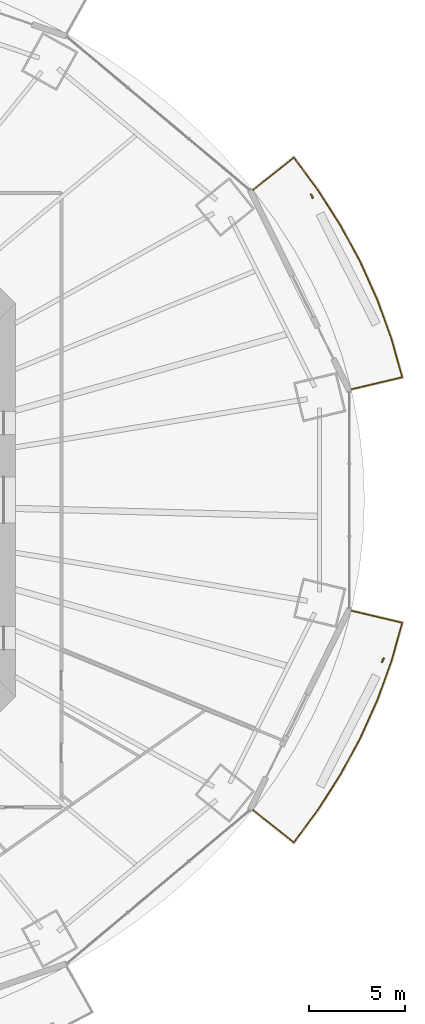
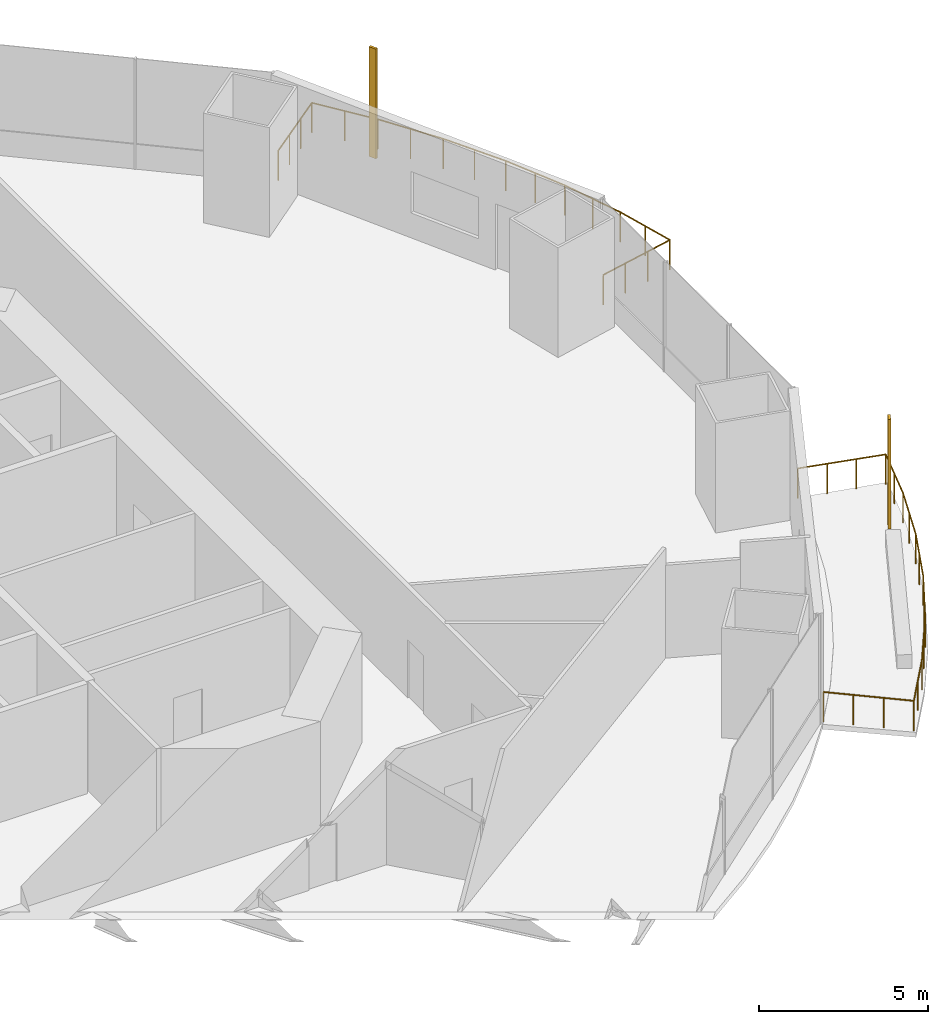
# One storey, part 21 of 22: 2 railings, 2 shading devices.
"""IFC4 building model written with IfcOpenShell, lengths in metres."""

from ifc_helpers import new_model, si_unit, direction, frame, origin, origin_2d, place, context, subcontext, project, spatial, rectangle, circle, extrude, material, material_profile, profile_set, type_object, element, save


model = new_model("IFC4")

# Units and contexts
model_context = context("Model", 3, precision=1e-05, world=origin(), true_north=direction((0.0, 1.0)))
body_context = subcontext(model_context, "Body", "Model", "MODEL_VIEW")
ifc_project = project(units=[si_unit("LENGTHUNIT", "METRE"), si_unit("AREAUNIT", "SQUARE_METRE"), si_unit("VOLUMEUNIT", "CUBIC_METRE"), si_unit("PLANEANGLEUNIT", "RADIAN"), si_unit("MASSUNIT", "GRAM", prefix="KILO")], contexts=[model_context])

# Site, building, storey
site_placement = place(None, origin())
site = spatial("IfcSite", under=ifc_project, at=site_placement, CompositionType="ELEMENT")
building_placement = place(site_placement, origin())
building = spatial("IfcBuilding", under=site, at=building_placement, Name="Marenthal Gate Tower", CompositionType="ELEMENT")
storey_placement = place(building_placement, frame((0.0, 0.0, 103.550048828125)))
storey = spatial("IfcBuildingStorey", under=building, at=storey_placement, Name="L21", CompositionType="ELEMENT", Elevation=103.550048828125)

# Railings
ifc_material_1 = material(Name="Stainless steel", Category="steel")
railing_type = type_object("IfcRailingType", Name="Balcony guard 1100", PredefinedType="GUARDRAIL", material=ifc_material_1)
railing_1_placement = place(storey_placement, frame((28.97509765625, 16.14501953125, 0.0)))
element("IfcRailing", 1, at=railing_1_placement, inside=storey, type_object=railing_type, Name="Balcony guard L21 bay 1", PredefinedType="GUARDRAIL", context=body_context, shape_type="SweptSolid", body=[
    extrude(circle(Radius=0.02392578125, at=origin_2d()), frame((0.0, 0.0, 1.076171875), z_axis=(0.782218085053, 0.62283082954, -0.014718192514), x_axis=(-0.622898300926, 0.782302822892, 0.0)), (0.0, 0.0, 1.0), 2.720458984375),
    extrude(circle(Radius=0.02392578125, at=origin_2d()), frame((2.1279296875, 1.6943359375, 1.0361328125), z_axis=(0.594516836854, -0.804083161556, 0.0), x_axis=(0.804083161556, 0.594516836854, 0.0)), (0.0, 0.0, 1.0), 2.12841796875),
    extrude(circle(Radius=0.02392578125, at=origin_2d()), frame((3.393310546875, -0.01708984375, 1.0361328125), z_axis=(0.537452327695, -0.843294133417, 0.0), x_axis=(0.843294133417, 0.537452327695, 0.0)), (0.0, 0.0, 1.0), 2.1904296875),
    extrude(circle(Radius=0.02392578125, at=origin_2d()), frame((4.570556640625, -1.8642578125, 1.0361328125), z_axis=(0.475284522292, -0.879832156078, 0.0), x_axis=(0.879832156078, 0.475284522292, 0.0)), (0.0, 0.0, 1.0), 2.17431640625),
    extrude(circle(Radius=0.02392578125, at=origin_2d()), frame((5.60400390625, -3.77734375, 1.0361328125), z_axis=(0.409429124113, -0.91234192731, 0.0), x_axis=(0.91234192731, 0.409429124113, 0.0)), (0.0, 0.0, 1.0), 2.15966796875),
    extrude(circle(Radius=0.02392578125, at=origin_2d()), frame((6.48828125, -5.747802734375, 1.0361328125), z_axis=(0.340136081654, -0.940376225751, 0.0), x_axis=(0.940376225751, 0.340136081654, 0.0)), (0.0, 0.0, 1.0), 2.1474609375),
    extrude(circle(Radius=0.02392578125, at=origin_2d()), frame((7.21875, -7.767333984375, 1.0361328125), z_axis=(0.269277750694, -0.963062559225, 0.0), x_axis=(0.963062559225, 0.269277750694, 0.0)), (0.0, 0.0, 1.0), 2.05712890625),
    extrude(circle(Radius=0.02392578125, at=origin_2d()), frame((7.772705078125, -9.74853515625, 1.0361328125), z_axis=(-0.972946801612, -0.230559942195, 0.014718501565), x_axis=(0.230584919848, -0.973052205557, 0.0)), (0.0, 0.0, 1.0), 2.72021484375),
    extrude(circle(Radius=0.02099609375, at=origin_2d()), origin(), (0.0, 0.0, 1.0), 1.052001953125),
    extrude(circle(Radius=0.02099609375, at=origin_2d()), frame((0.709228515625, 0.564697265625, -0.013427734375)), (0.0, 0.0, 1.0), 1.052001953125),
    extrude(circle(Radius=0.02099609375, at=origin_2d()), frame((1.418701171875, 1.129638671875, -0.026611328125)), (0.0, 0.0, 1.0), 1.052001953125),
    extrude(circle(Radius=0.02099609375, at=origin_2d()), frame((2.1279296875, 1.6943359375, -0.0400390625)), (0.0, 0.0, 1.0), 1.052001953125),
    extrude(circle(Radius=0.02099609375, at=origin_2d()), frame((2.7607421875, 0.838623046875, -0.0400390625)), (0.0, 0.0, 1.0), 1.052001953125),
    extrude(circle(Radius=0.02099609375, at=origin_2d()), frame((3.393310546875, -0.01708984375, -0.0400390625)), (0.0, 0.0, 1.0), 1.052001953125),
    extrude(circle(Radius=0.02099609375, at=origin_2d()), frame((3.98193359375, -0.940673828125, -0.0400390625)), (0.0, 0.0, 1.0), 1.052001953125),
    extrude(circle(Radius=0.02099609375, at=origin_2d()), frame((4.570556640625, -1.8642578125, -0.0400390625)), (0.0, 0.0, 1.0), 1.052001953125),
    extrude(circle(Radius=0.02099609375, at=origin_2d()), frame((5.08740234375, -2.82080078125, -0.0400390625)), (0.0, 0.0, 1.0), 1.052001953125),
    extrude(circle(Radius=0.02099609375, at=origin_2d()), frame((5.60400390625, -3.77734375, -0.0400390625)), (0.0, 0.0, 1.0), 1.052001953125),
    extrude(circle(Radius=0.02099609375, at=origin_2d()), frame((6.046142578125, -4.7626953125, -0.0400390625)), (0.0, 0.0, 1.0), 1.052001953125),
    extrude(circle(Radius=0.02099609375, at=origin_2d()), frame((6.48828125, -5.747802734375, -0.0400390625)), (0.0, 0.0, 1.0), 1.052001953125),
    extrude(circle(Radius=0.02099609375, at=origin_2d()), frame((6.853515625, -6.757568359375, -0.0400390625)), (0.0, 0.0, 1.0), 1.052001953125),
    extrude(circle(Radius=0.02099609375, at=origin_2d()), frame((7.21875, -7.767333984375, -0.0400390625)), (0.0, 0.0, 1.0), 1.052001953125),
    extrude(circle(Radius=0.02099609375, at=origin_2d()), frame((7.49560546875, -8.7578125, -0.0400390625)), (0.0, 0.0, 1.0), 1.052001953125),
    extrude(circle(Radius=0.02099609375, at=origin_2d()), frame((7.772705078125, -9.74853515625, -0.0400390625)), (0.0, 0.0, 1.0), 1.052001953125),
    extrude(circle(Radius=0.02099609375, at=origin_2d()), frame((6.890380859375, -9.95751953125, -0.026611328125)), (0.0, 0.0, 1.0), 1.052001953125),
    extrude(circle(Radius=0.02099609375, at=origin_2d()), frame((6.00830078125, -10.166748046875, -0.013427734375)), (0.0, 0.0, 1.0), 1.052001953125),
    extrude(circle(Radius=0.02099609375, at=origin_2d()), frame((5.1259765625, -10.375732421875, 0.0)), (0.0, 0.0, 1.0), 1.052001953125),
])
railing_2_placement = place(storey_placement, frame((34.10107421875, -5.769287109375, 0.0)))
element("IfcRailing", 2, at=railing_2_placement, inside=storey, type_object=railing_type, Name="Balcony guard L21 bay 15", PredefinedType="GUARDRAIL", context=body_context, shape_type="SweptSolid", body=[
    extrude(circle(Radius=0.02392578125, at=origin_2d()), frame((0.0, 0.0, 1.076171875), z_axis=(0.972946801612, -0.230559942195, -0.014718501565), x_axis=(0.230584919848, 0.973052205557, 0.0)), (0.0, 0.0, 1.0), 2.72021484375),
    extrude(circle(Radius=0.02392578125, at=origin_2d()), frame((2.646728515625, -0.627197265625, 1.0361328125), z_axis=(-0.269277750694, -0.963062559225, 0.0), x_axis=(0.963062559225, -0.269277750694, 0.0)), (0.0, 0.0, 1.0), 2.05712890625),
    extrude(circle(Radius=0.02392578125, at=origin_2d()), frame((2.0927734375, -2.6083984375, 1.0361328125), z_axis=(-0.340136081654, -0.940376225751, 0.0), x_axis=(0.940376225751, -0.340136081654, 0.0)), (0.0, 0.0, 1.0), 2.1474609375),
    extrude(circle(Radius=0.02392578125, at=origin_2d()), frame((1.3623046875, -4.6279296875, 1.0361328125), z_axis=(-0.409429124113, -0.91234192731, 0.0), x_axis=(0.91234192731, -0.409429124113, 0.0)), (0.0, 0.0, 1.0), 2.15966796875),
    extrude(circle(Radius=0.02392578125, at=origin_2d()), frame((0.47802734375, -6.598388671875, 1.0361328125), z_axis=(-0.475284522292, -0.879832156078, 0.0), x_axis=(0.879832156078, -0.475284522292, 0.0)), (0.0, 0.0, 1.0), 2.17431640625),
    extrude(circle(Radius=0.02392578125, at=origin_2d()), frame((-0.555419921875, -8.511474609375, 1.0361328125), z_axis=(-0.537452327695, -0.843294133417, 0.0), x_axis=(0.843294133417, -0.537452327695, 0.0)), (0.0, 0.0, 1.0), 2.1904296875),
    extrude(circle(Radius=0.02392578125, at=origin_2d()), frame((-1.732666015625, -10.358642578125, 1.0361328125), z_axis=(-0.594516836854, -0.804083161556, 0.0), x_axis=(0.804083161556, -0.594516836854, 0.0)), (0.0, 0.0, 1.0), 2.12841796875),
    extrude(circle(Radius=0.02392578125, at=origin_2d()), frame((-2.998046875, -12.070068359375, 1.0361328125), z_axis=(-0.782218085053, 0.62283082954, 0.014718192514), x_axis=(-0.622898300926, -0.782302822892, 0.0)), (0.0, 0.0, 1.0), 2.720458984375),
    extrude(circle(Radius=0.02099609375, at=origin_2d()), origin(), (0.0, 0.0, 1.0), 1.052001953125),
    extrude(circle(Radius=0.02099609375, at=origin_2d()), frame((0.88232421875, -0.208984375, -0.013427734375)), (0.0, 0.0, 1.0), 1.052001953125),
    extrude(circle(Radius=0.02099609375, at=origin_2d()), frame((1.764404296875, -0.418212890625, -0.026611328125)), (0.0, 0.0, 1.0), 1.052001953125),
    extrude(circle(Radius=0.02099609375, at=origin_2d()), frame((2.646728515625, -0.627197265625, -0.0400390625)), (0.0, 0.0, 1.0), 1.052001953125),
    extrude(circle(Radius=0.02099609375, at=origin_2d()), frame((2.36962890625, -1.61767578125, -0.0400390625)), (0.0, 0.0, 1.0), 1.052001953125),
    extrude(circle(Radius=0.02099609375, at=origin_2d()), frame((2.0927734375, -2.6083984375, -0.0400390625)), (0.0, 0.0, 1.0), 1.052001953125),
    extrude(circle(Radius=0.02099609375, at=origin_2d()), frame((1.7275390625, -3.6181640625, -0.0400390625)), (0.0, 0.0, 1.0), 1.052001953125),
    extrude(circle(Radius=0.02099609375, at=origin_2d()), frame((1.3623046875, -4.6279296875, -0.0400390625)), (0.0, 0.0, 1.0), 1.052001953125),
    extrude(circle(Radius=0.02099609375, at=origin_2d()), frame((0.920166015625, -5.61328125, -0.0400390625)), (0.0, 0.0, 1.0), 1.052001953125),
    extrude(circle(Radius=0.02099609375, at=origin_2d()), frame((0.47802734375, -6.598388671875, -0.0400390625)), (0.0, 0.0, 1.0), 1.052001953125),
    extrude(circle(Radius=0.02099609375, at=origin_2d()), frame((-0.03857421875, -7.554931640625, -0.0400390625)), (0.0, 0.0, 1.0), 1.052001953125),
    extrude(circle(Radius=0.02099609375, at=origin_2d()), frame((-0.555419921875, -8.511474609375, -0.0400390625)), (0.0, 0.0, 1.0), 1.052001953125),
    extrude(circle(Radius=0.02099609375, at=origin_2d()), frame((-1.14404296875, -9.43505859375, -0.0400390625)), (0.0, 0.0, 1.0), 1.052001953125),
    extrude(circle(Radius=0.02099609375, at=origin_2d()), frame((-1.732666015625, -10.358642578125, -0.0400390625)), (0.0, 0.0, 1.0), 1.052001953125),
    extrude(circle(Radius=0.02099609375, at=origin_2d()), frame((-2.365234375, -11.21435546875, -0.0400390625)), (0.0, 0.0, 1.0), 1.052001953125),
    extrude(circle(Radius=0.02099609375, at=origin_2d()), frame((-2.998046875, -12.070068359375, -0.0400390625)), (0.0, 0.0, 1.0), 1.052001953125),
    extrude(circle(Radius=0.02099609375, at=origin_2d()), frame((-3.707275390625, -11.50537109375, -0.026611328125)), (0.0, 0.0, 1.0), 1.052001953125),
    extrude(circle(Radius=0.02099609375, at=origin_2d()), frame((-4.416748046875, -10.9404296875, -0.013427734375)), (0.0, 0.0, 1.0), 1.052001953125),
    extrude(circle(Radius=0.02099609375, at=origin_2d()), frame((-5.1259765625, -10.375732421875, 0.0)), (0.0, 0.0, 1.0), 1.052001953125),
])

# Shading devices
ifc_material_2 = material(Name="Terracotta", Category="masonry")
ifc_material_profile = material_profile(ifc_material_2, rectangle(XDim=0.25, YDim=0.080078125, at=origin_2d()), Name="Terracotta baguette 250x80")
ifc_profile_set = profile_set([ifc_material_profile], Name="Terracotta")
shading_device_type = type_object("IfcShadingDeviceType", Name="Terracotta BAGUETTE SCREEN 250x80", PredefinedType="USERDEFINED", material=ifc_profile_set)
for number, where, z_axis, x_axis, name in (
    (3, (32.043701171875, 15.835205078125, -0.0400390625), (0.0, 0.0, 1.0), (-0.44279047576, 0.896625113733, 0.0), "Terracotta BAGUETTE L21 bay 1R"),
    (4, (35.7412109375, -8.34765625, -0.0400390625), (0.0, 0.0, 1.0), (0.44279047576, 0.896625113733, 0.0), "Terracotta BAGUETTE L21 bay 15R"),
):
    element("IfcShadingDevice", number, at=place(storey_placement, frame(where, z_axis=z_axis, x_axis=x_axis)), inside=storey, type_object=shading_device_type, Name=name, ObjectType="BAGUETTE SCREEN", PredefinedType="USERDEFINED", context=body_context, shape_type="SweptSolid", body=[
        extrude(rectangle(XDim=0.25, YDim=0.080078125, at=origin_2d()), origin(), (0.0, 0.0, 1.0), 3.969970703125),
    ])

save(model, "model.ifc")
